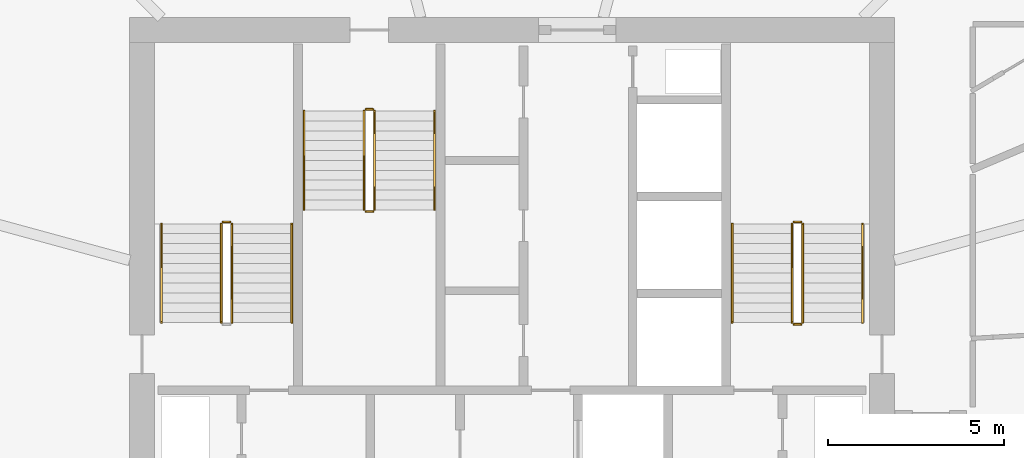
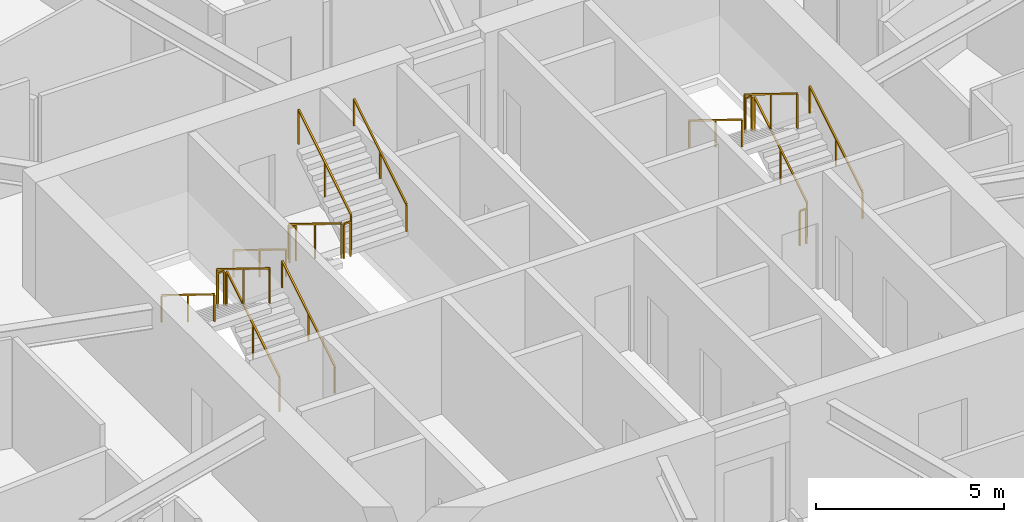
# One storey, part 27 of 28: 17 railings.
"""IFC4 building model written with IfcOpenShell, lengths in metres."""

from ifc_helpers import new_model, si_unit, direction, frame, origin, origin_2d, place, context, subcontext, project, spatial, rectangle, extrude, material, type_object, element, save


model = new_model("IFC4")

# Units and contexts
model_context = context("Model", 3, precision=1e-05, world=origin(), true_north=direction((0.0, 1.0)))
body_context = subcontext(model_context, "Body", "Model", "MODEL_VIEW")
ifc_project = project(units=[si_unit("LENGTHUNIT", "METRE"), si_unit("AREAUNIT", "SQUARE_METRE"), si_unit("VOLUMEUNIT", "CUBIC_METRE"), si_unit("PLANEANGLEUNIT", "RADIAN"), si_unit("MASSUNIT", "GRAM", prefix="KILO")], contexts=[model_context])

# Site, building, storey
site_placement = place(None, origin())
site = spatial("IfcSite", under=ifc_project, at=site_placement, CompositionType="ELEMENT")
building_placement = place(site_placement, origin())
building = spatial("IfcBuilding", under=site, at=building_placement, Name="Zuhravey Tower", CompositionType="ELEMENT")
storey_placement = place(building_placement, frame((0.0, 0.0, 169.39990234375)))
storey = spatial("IfcBuildingStorey", under=building, at=storey_placement, Name="L42", CompositionType="ELEMENT", Elevation=169.39990234375)

# Railings
ifc_material_1 = material(Name="Brushed stainless steel", Category="steel")
railing_type_1 = type_object("IfcRailingType", Name="Stair Wall Handrail 900", PredefinedType="HANDRAIL", material=ifc_material_1)
railing_1_placement = place(storey_placement, frame((29.75, 33.199951171875, 0.1728515625)))
element("IfcRailing", 1, at=railing_1_placement, inside=storey, type_object=railing_type_1, Name="L42 ST1 stair handrail 1", PredefinedType="HANDRAIL", context=body_context, shape_type="SweptSolid", body=[
    extrude(rectangle(XDim=0.048095703125, YDim=0.048095703125, at=origin_2d()), frame((0.0, 0.001708984375, 0.876953125), z_axis=(0.0, 0.851089632645, 0.525020415988), x_axis=(-1.0, 0.0, 0.0)), (0.0, 0.0, 1.0), 3.285888671875),
    extrude(rectangle(XDim=0.0419921875, YDim=0.0419921875, at=origin_2d()), origin(), (0.0, 0.0, 1.0), 0.849853515625),
    extrude(rectangle(XDim=0.0419921875, YDim=0.0419921875, at=origin_2d()), frame((0.0, 1.39990234375, 0.86376953125)), (0.0, 0.0, 1.0), 0.849853515625),
    extrude(rectangle(XDim=0.0419921875, YDim=0.0419921875, at=origin_2d()), frame((0.0, 2.800048828125, 1.727294921875)), (0.0, 0.0, 1.0), 0.849853515625),
])
railing_2_placement = place(storey_placement, frame((26.050048828125, 36.0, 2.07275390625)))
element("IfcRailing", 2, at=railing_2_placement, inside=storey, type_object=railing_type_1, Name="L42 ST1 stair handrail 2", PredefinedType="HANDRAIL", context=body_context, shape_type="SweptSolid", body=[
    extrude(rectangle(XDim=0.048095703125, YDim=0.048095703125, at=origin_2d()), frame((0.0, -0.001708984375, 0.876953125), z_axis=(0.0, -0.851089632645, 0.525020415988), x_axis=(1.0, 0.0, 0.0)), (0.0, 0.0, 1.0), 3.285888671875),
    extrude(rectangle(XDim=0.0419921875, YDim=0.0419921875, at=origin_2d()), origin(), (0.0, 0.0, 1.0), 0.849853515625),
    extrude(rectangle(XDim=0.0419921875, YDim=0.0419921875, at=origin_2d()), frame((0.0, -1.39990234375, 0.86376953125)), (0.0, 0.0, 1.0), 0.849853515625),
    extrude(rectangle(XDim=0.0419921875, YDim=0.0419921875, at=origin_2d()), frame((0.0, -2.800048828125, 1.727294921875)), (0.0, 0.0, 1.0), 0.849853515625),
])
railing_3_placement = place(storey_placement, frame((45.949951171875, 33.199951171875, 0.1728515625)))
element("IfcRailing", 3, at=railing_3_placement, inside=storey, type_object=railing_type_1, Name="L42 ST2 stair handrail 1", PredefinedType="HANDRAIL", context=body_context, shape_type="SweptSolid", body=[
    extrude(rectangle(XDim=0.048095703125, YDim=0.048095703125, at=origin_2d()), frame((0.0, 0.001708984375, 0.876953125), z_axis=(0.0, 0.851089632645, 0.525020415988), x_axis=(-1.0, 0.0, 0.0)), (0.0, 0.0, 1.0), 3.285888671875),
    extrude(rectangle(XDim=0.0419921875, YDim=0.0419921875, at=origin_2d()), origin(), (0.0, 0.0, 1.0), 0.849853515625),
    extrude(rectangle(XDim=0.0419921875, YDim=0.0419921875, at=origin_2d()), frame((0.0, 1.39990234375, 0.86376953125)), (0.0, 0.0, 1.0), 0.849853515625),
    extrude(rectangle(XDim=0.0419921875, YDim=0.0419921875, at=origin_2d()), frame((0.0, 2.800048828125, 1.727294921875)), (0.0, 0.0, 1.0), 0.849853515625),
])
for number, where, name in (
    (4, (42.25, 36.0, 2.07275390625), "L42 ST2 stair handrail 2"),
    (5, (30.10009765625, 39.199951171875, 0.1728515625), "L42 ST3 stair handrail 1"),
):
    element("IfcRailing", number, at=place(storey_placement, frame(where)), inside=storey, type_object=railing_type_1, Name=name, PredefinedType="HANDRAIL", context=body_context, shape_type="SweptSolid", body=[
        extrude(rectangle(XDim=0.048095703125, YDim=0.048095703125, at=origin_2d()), frame((0.0, -0.001708984375, 0.876953125), z_axis=(0.0, -0.851089632645, 0.525020415988), x_axis=(1.0, 0.0, 0.0)), (0.0, 0.0, 1.0), 3.285888671875),
        extrude(rectangle(XDim=0.0419921875, YDim=0.0419921875, at=origin_2d()), origin(), (0.0, 0.0, 1.0), 0.849853515625),
        extrude(rectangle(XDim=0.0419921875, YDim=0.0419921875, at=origin_2d()), frame((0.0, -1.39990234375, 0.86376953125)), (0.0, 0.0, 1.0), 0.849853515625),
        extrude(rectangle(XDim=0.0419921875, YDim=0.0419921875, at=origin_2d()), frame((0.0, -2.800048828125, 1.727294921875)), (0.0, 0.0, 1.0), 0.849853515625),
    ])
railing_4_placement = place(storey_placement, frame((33.800048828125, 36.39990234375, 2.07275390625)))
element("IfcRailing", 6, at=railing_4_placement, inside=storey, type_object=railing_type_1, Name="L42 ST3 stair handrail 2", PredefinedType="HANDRAIL", context=body_context, shape_type="SweptSolid", body=[
    extrude(rectangle(XDim=0.048095703125, YDim=0.048095703125, at=origin_2d()), frame((0.0, 0.001708984375, 0.876953125), z_axis=(0.0, 0.851089632645, 0.525020415988), x_axis=(-1.0, 0.0, 0.0)), (0.0, 0.0, 1.0), 3.285888671875),
    extrude(rectangle(XDim=0.0419921875, YDim=0.0419921875, at=origin_2d()), origin(), (0.0, 0.0, 1.0), 0.849853515625),
    extrude(rectangle(XDim=0.0419921875, YDim=0.0419921875, at=origin_2d()), frame((0.0, 1.39990234375, 0.86376953125)), (0.0, 0.0, 1.0), 0.849853515625),
    extrude(rectangle(XDim=0.0419921875, YDim=0.0419921875, at=origin_2d()), frame((0.0, 2.800048828125, 1.727294921875)), (0.0, 0.0, 1.0), 0.849853515625),
])
ifc_material_2 = material(Name="Painted tubular steel", Category="steel")
railing_type_2 = type_object("IfcRailingType", Name="Stair Well Guardrail 1150", PredefinedType="GUARDRAIL", material=ifc_material_2)
railing_5_placement = place(storey_placement, frame((28.050048828125, 33.199951171875, 0.1728515625)))
element("IfcRailing", 7, at=railing_5_placement, inside=storey, type_object=railing_type_2, Name="L42 ST1 stair guard 1", PredefinedType="GUARDRAIL", context=body_context, shape_type="SweptSolid", body=[
    extrude(rectangle(XDim=0.048095703125, YDim=0.048095703125, at=origin_2d()), frame((0.0, 0.001708984375, 1.126953125), z_axis=(0.0, 0.851089632645, 0.525020415988), x_axis=(-1.0, 0.0, 0.0)), (0.0, 0.0, 1.0), 3.285888671875),
    extrude(rectangle(XDim=0.0419921875, YDim=0.0419921875, at=origin_2d()), origin(), (0.0, 0.0, 1.0), 1.099853515625),
    extrude(rectangle(XDim=0.0419921875, YDim=0.0419921875, at=origin_2d()), frame((0.0, 1.39990234375, 0.86376953125)), (0.0, 0.0, 1.0), 1.099853515625),
    extrude(rectangle(XDim=0.0419921875, YDim=0.0419921875, at=origin_2d()), frame((0.0, 2.800048828125, 1.727294921875)), (0.0, 0.0, 1.0), 1.099853515625),
])
railing_6_placement = place(storey_placement, frame((28.0, 36.050048828125, 1.900146484375)))
element("IfcRailing", 8, at=railing_6_placement, inside=storey, type_object=railing_type_2, Name="L42 ST1 stair guard 2", PredefinedType="GUARDRAIL", context=body_context, shape_type="SweptSolid", body=[
    extrude(rectangle(XDim=0.048095703125, YDim=0.048095703125, at=origin_2d()), frame((-0.001953125, 0.0, 1.1259765625), z_axis=(-1.0, 0.0, 0.0), x_axis=(0.0, -1.0, 0.0)), (0.0, 0.0, 1.0), 0.196044921875),
    extrude(rectangle(XDim=0.0419921875, YDim=0.0419921875, at=origin_2d()), origin(), (0.0, 0.0, 1.0), 1.099853515625),
    extrude(rectangle(XDim=0.0419921875, YDim=0.0419921875, at=origin_2d()), frame((-0.199951171875, 0.0, 0.0)), (0.0, 0.0, 1.0), 1.099853515625),
])
railing_7_placement = place(storey_placement, frame((27.75, 36.0, 2.07275390625)))
element("IfcRailing", 9, at=railing_7_placement, inside=storey, type_object=railing_type_2, Name="L42 ST1 stair guard 3", PredefinedType="GUARDRAIL", context=body_context, shape_type="SweptSolid", body=[
    extrude(rectangle(XDim=0.048095703125, YDim=0.048095703125, at=origin_2d()), frame((0.0, -0.001708984375, 1.126953125), z_axis=(0.0, -0.851089632645, 0.525020415988), x_axis=(1.0, 0.0, 0.0)), (0.0, 0.0, 1.0), 3.285888671875),
    extrude(rectangle(XDim=0.0419921875, YDim=0.0419921875, at=origin_2d()), origin(), (0.0, 0.0, 1.0), 1.099853515625),
    extrude(rectangle(XDim=0.0419921875, YDim=0.0419921875, at=origin_2d()), frame((0.0, -1.39990234375, 0.86376953125)), (0.0, 0.0, 1.0), 1.099853515625),
    extrude(rectangle(XDim=0.0419921875, YDim=0.0419921875, at=origin_2d()), frame((0.0, -2.800048828125, 1.727294921875)), (0.0, 0.0, 1.0), 1.099853515625),
])
railing_8_placement = place(storey_placement, frame((44.25, 33.199951171875, 0.1728515625)))
element("IfcRailing", 10, at=railing_8_placement, inside=storey, type_object=railing_type_2, Name="L42 ST2 stair guard 1", PredefinedType="GUARDRAIL", context=body_context, shape_type="SweptSolid", body=[
    extrude(rectangle(XDim=0.048095703125, YDim=0.048095703125, at=origin_2d()), frame((0.0, 0.001708984375, 1.126953125), z_axis=(0.0, 0.851089632645, 0.525020415988), x_axis=(-1.0, 0.0, 0.0)), (0.0, 0.0, 1.0), 3.285888671875),
    extrude(rectangle(XDim=0.0419921875, YDim=0.0419921875, at=origin_2d()), origin(), (0.0, 0.0, 1.0), 1.099853515625),
    extrude(rectangle(XDim=0.0419921875, YDim=0.0419921875, at=origin_2d()), frame((0.0, 1.39990234375, 0.86376953125)), (0.0, 0.0, 1.0), 1.099853515625),
    extrude(rectangle(XDim=0.0419921875, YDim=0.0419921875, at=origin_2d()), frame((0.0, 2.800048828125, 1.727294921875)), (0.0, 0.0, 1.0), 1.099853515625),
])
railing_9_placement = place(storey_placement, frame((44.199951171875, 36.050048828125, 1.900146484375)))
element("IfcRailing", 11, at=railing_9_placement, inside=storey, type_object=railing_type_2, Name="L42 ST2 stair guard 2", PredefinedType="GUARDRAIL", context=body_context, shape_type="SweptSolid", body=[
    extrude(rectangle(XDim=0.048095703125, YDim=0.048095703125, at=origin_2d()), frame((-0.001953125, 0.0, 1.1259765625), z_axis=(-1.0, 0.0, 0.0), x_axis=(0.0, -1.0, 0.0)), (0.0, 0.0, 1.0), 0.196044921875),
    extrude(rectangle(XDim=0.0419921875, YDim=0.0419921875, at=origin_2d()), origin(), (0.0, 0.0, 1.0), 1.099853515625),
    extrude(rectangle(XDim=0.0419921875, YDim=0.0419921875, at=origin_2d()), frame((-0.199951171875, 0.0, 0.0)), (0.0, 0.0, 1.0), 1.099853515625),
])
railing_10_placement = place(storey_placement, frame((43.949951171875, 36.0, 2.07275390625)))
element("IfcRailing", 12, at=railing_10_placement, inside=storey, type_object=railing_type_2, Name="L42 ST2 stair guard 3", PredefinedType="GUARDRAIL", context=body_context, shape_type="SweptSolid", body=[
    extrude(rectangle(XDim=0.048095703125, YDim=0.048095703125, at=origin_2d()), frame((0.0, -0.001708984375, 1.126953125), z_axis=(0.0, -0.851089632645, 0.525020415988), x_axis=(1.0, 0.0, 0.0)), (0.0, 0.0, 1.0), 3.285888671875),
    extrude(rectangle(XDim=0.0419921875, YDim=0.0419921875, at=origin_2d()), origin(), (0.0, 0.0, 1.0), 1.099853515625),
    extrude(rectangle(XDim=0.0419921875, YDim=0.0419921875, at=origin_2d()), frame((0.0, -1.39990234375, 0.86376953125)), (0.0, 0.0, 1.0), 1.099853515625),
    extrude(rectangle(XDim=0.0419921875, YDim=0.0419921875, at=origin_2d()), frame((0.0, -2.800048828125, 1.727294921875)), (0.0, 0.0, 1.0), 1.099853515625),
])
railing_11_placement = place(storey_placement, frame((44.199951171875, 33.14990234375, 0.0)))
element("IfcRailing", 13, at=railing_11_placement, inside=storey, type_object=railing_type_2, Name="L42 ST2 stair guard 4", PredefinedType="GUARDRAIL", context=body_context, shape_type="SweptSolid", body=[
    extrude(rectangle(XDim=0.048095703125, YDim=0.048095703125, at=origin_2d()), frame((-0.001953125, 0.0, 1.1259765625), z_axis=(-1.0, 0.0, 0.0), x_axis=(0.0, -1.0, 0.0)), (0.0, 0.0, 1.0), 0.196044921875),
    extrude(rectangle(XDim=0.0419921875, YDim=0.0419921875, at=origin_2d()), origin(), (0.0, 0.0, 1.0), 1.099853515625),
    extrude(rectangle(XDim=0.0419921875, YDim=0.0419921875, at=origin_2d()), frame((-0.199951171875, 0.0, 0.0)), (0.0, 0.0, 1.0), 1.099853515625),
])
railing_12_placement = place(storey_placement, frame((31.800048828125, 39.199951171875, 0.1728515625)))
element("IfcRailing", 14, at=railing_12_placement, inside=storey, type_object=railing_type_2, Name="L42 ST3 stair guard 1", PredefinedType="GUARDRAIL", context=body_context, shape_type="SweptSolid", body=[
    extrude(rectangle(XDim=0.048095703125, YDim=0.048095703125, at=origin_2d()), frame((0.0, -0.001708984375, 1.126953125), z_axis=(0.0, -0.851089632645, 0.525020415988), x_axis=(1.0, 0.0, 0.0)), (0.0, 0.0, 1.0), 3.285888671875),
    extrude(rectangle(XDim=0.0419921875, YDim=0.0419921875, at=origin_2d()), origin(), (0.0, 0.0, 1.0), 1.099853515625),
    extrude(rectangle(XDim=0.0419921875, YDim=0.0419921875, at=origin_2d()), frame((0.0, -1.39990234375, 0.86376953125)), (0.0, 0.0, 1.0), 1.099853515625),
    extrude(rectangle(XDim=0.0419921875, YDim=0.0419921875, at=origin_2d()), frame((0.0, -2.800048828125, 1.727294921875)), (0.0, 0.0, 1.0), 1.099853515625),
])
railing_13_placement = place(storey_placement, frame((31.85009765625, 36.35009765625, 1.900146484375)))
element("IfcRailing", 15, at=railing_13_placement, inside=storey, type_object=railing_type_2, Name="L42 ST3 stair guard 2", PredefinedType="GUARDRAIL", context=body_context, shape_type="SweptSolid", body=[
    extrude(rectangle(XDim=0.048095703125, YDim=0.048095703125, at=origin_2d()), frame((0.001953125, 0.0, 1.1259765625), z_axis=(1.0, 0.0, 0.0), x_axis=(0.0, 1.0, 0.0)), (0.0, 0.0, 1.0), 0.196044921875),
    extrude(rectangle(XDim=0.0419921875, YDim=0.0419921875, at=origin_2d()), origin(), (0.0, 0.0, 1.0), 1.099853515625),
    extrude(rectangle(XDim=0.0419921875, YDim=0.0419921875, at=origin_2d()), frame((0.199951171875, 0.0, 0.0)), (0.0, 0.0, 1.0), 1.099853515625),
])
railing_14_placement = place(storey_placement, frame((32.10009765625, 36.39990234375, 2.07275390625)))
element("IfcRailing", 16, at=railing_14_placement, inside=storey, type_object=railing_type_2, Name="L42 ST3 stair guard 3", PredefinedType="GUARDRAIL", context=body_context, shape_type="SweptSolid", body=[
    extrude(rectangle(XDim=0.048095703125, YDim=0.048095703125, at=origin_2d()), frame((0.0, 0.001708984375, 1.126953125), z_axis=(0.0, 0.851089632645, 0.525020415988), x_axis=(-1.0, 0.0, 0.0)), (0.0, 0.0, 1.0), 3.285888671875),
    extrude(rectangle(XDim=0.0419921875, YDim=0.0419921875, at=origin_2d()), origin(), (0.0, 0.0, 1.0), 1.099853515625),
    extrude(rectangle(XDim=0.0419921875, YDim=0.0419921875, at=origin_2d()), frame((0.0, 1.39990234375, 0.86376953125)), (0.0, 0.0, 1.0), 1.099853515625),
    extrude(rectangle(XDim=0.0419921875, YDim=0.0419921875, at=origin_2d()), frame((0.0, 2.800048828125, 1.727294921875)), (0.0, 0.0, 1.0), 1.099853515625),
])
railing_15_placement = place(storey_placement, frame((31.85009765625, 39.25, 0.0)))
element("IfcRailing", 17, at=railing_15_placement, inside=storey, type_object=railing_type_2, Name="L42 ST3 stair guard 4", PredefinedType="GUARDRAIL", context=body_context, shape_type="SweptSolid", body=[
    extrude(rectangle(XDim=0.048095703125, YDim=0.048095703125, at=origin_2d()), frame((0.001953125, 0.0, 1.1259765625), z_axis=(1.0, 0.0, 0.0), x_axis=(0.0, 1.0, 0.0)), (0.0, 0.0, 1.0), 0.196044921875),
    extrude(rectangle(XDim=0.0419921875, YDim=0.0419921875, at=origin_2d()), origin(), (0.0, 0.0, 1.0), 1.099853515625),
    extrude(rectangle(XDim=0.0419921875, YDim=0.0419921875, at=origin_2d()), frame((0.199951171875, 0.0, 0.0)), (0.0, 0.0, 1.0), 1.099853515625),
])

save(model, "model.ifc")
